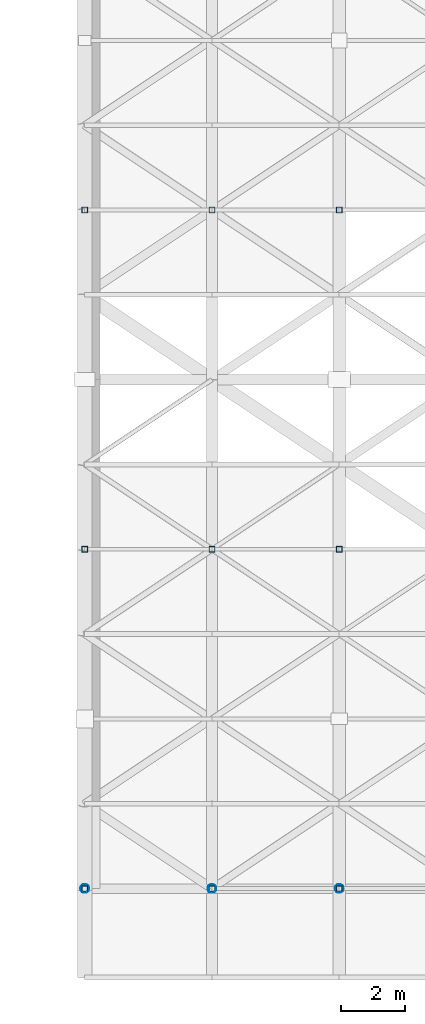
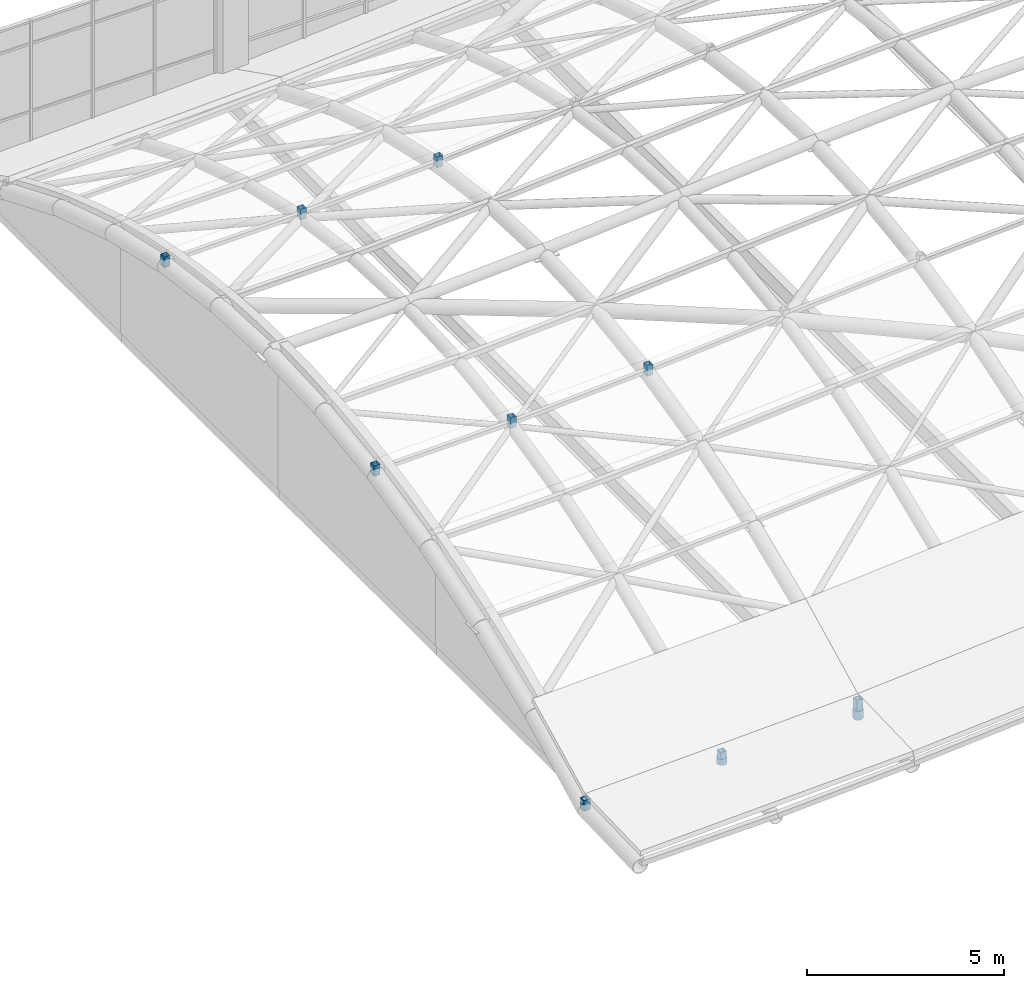
# One storey, part 39 of 72: 12 members.
"""IFC4 building model written with IfcOpenShell, lengths in metres."""

from ifc_helpers import new_model, si_unit, direction, frame, origin, origin_2d, place, context, subcontext, project, spatial, hollow_rectangle, hollow_circle, extrude, material, material_profile, profile_set, type_object, element, save


model = new_model("IFC4")

# Units and contexts
model_context = context("Model", 3, precision=1e-05, world=origin(), true_north=direction((0.0, 1.0)))
body_context = subcontext(model_context, "Body", "Model", "MODEL_VIEW")
ifc_project = project(units=[si_unit("LENGTHUNIT", "METRE"), si_unit("AREAUNIT", "SQUARE_METRE"), si_unit("VOLUMEUNIT", "CUBIC_METRE"), si_unit("PLANEANGLEUNIT", "RADIAN"), si_unit("MASSUNIT", "GRAM", prefix="KILO")], contexts=[model_context])

# Site, building, storey
site_placement = place(None, origin())
site = spatial("IfcSite", under=ifc_project, at=site_placement, CompositionType="ELEMENT")
building_placement = place(site_placement, origin())
building = spatial("IfcBuilding", under=site, at=building_placement, Name="Tenunan Teduh Sports Hall", CompositionType="ELEMENT")
storey_placement = place(building_placement, frame((0.0, 0.0, 15.0)))
storey = spatial("IfcBuildingStorey", under=building, at=storey_placement, Name="L03", CompositionType="ELEMENT", Elevation=15.0)

# Members
ifc_material_1 = material(Name="Steel S355", Category="steel")
ifc_material_profile_1 = material_profile(ifc_material_1, hollow_circle(Radius=0.136474609375, WallThickness=0.010009765625, at=origin_2d()), Name="CHS 273.0x10.0")
ifc_profile_set_1 = profile_set([ifc_material_profile_1], Name="Steel S355")
member_type_1 = type_object("IfcMemberType", Name="MEM-ST-CHS273", PredefinedType="STRUT", material=ifc_profile_set_1)
for number, where, z_axis, x_axis, name in (
    (1, (122.0, 14.0, -0.35009765625), (0.0, 0.0, 1.0), (1.0, 0.0, 0.0), "MEM-VS-04-L03-0001"),
    (2, (126.0, 14.0, -0.35009765625), (0.0, 0.0, 1.0), (1.0, 0.0, 0.0), "MEM-VS-04-L03-0008"),
):
    element("IfcMember", number, at=place(storey_placement, frame(where, z_axis=z_axis, x_axis=x_axis)), inside=storey, type_object=member_type_1, Name=name, PredefinedType="STRUT", context=body_context, shape_type="SweptSolid", body=[
        extrude(hollow_circle(Radius=0.136474609375, WallThickness=0.010009765625, at=origin_2d()), origin(), (0.0, 0.0, 1.0), 0.190185546875),
    ])
member_placement = place(storey_placement, frame((130.0, 14.0, -0.35009765625), z_axis=(0.0, 0.0, 1.0), x_axis=(1.0, 0.0, 0.0)))
element("IfcMember", 3, at=member_placement, inside=storey, type_object=member_type_1, Name="MEM-VS-04-L03-0015", PredefinedType="STRUT", context=body_context, shape_type="SweptSolid", body=[
    extrude(hollow_circle(Radius=0.136474609375, WallThickness=0.010009765625, at=origin_2d()), origin(), (0.0, 0.0, 1.0), 0.27099609375),
])
ifc_material_2 = material(Name="Steel S355", Category="steel")
ifc_material_profile_2 = material_profile(ifc_material_2, hollow_rectangle(XDim=0.179931640625, YDim=0.179931640625, WallThickness=0.010009765625, at=origin_2d()), Name="SHS 180x180x10.0")
ifc_profile_set_2 = profile_set([ifc_material_profile_2], Name="Steel S355")
member_type_2 = type_object("IfcMemberType", Name="MEM-ST-SHS180", PredefinedType="STRUT", material=ifc_profile_set_2)
for number, where, z_axis, x_axis, name in (
    (4, (122.0, 14.0, -0.3798828125), (0.0, 0.0, 1.0), (1.0, 0.0, 0.0), "MEM-VS-03-L03-0004"),
    (5, (122.0, 24.666748046875, 3.5302734375), (0.0, 0.0, 1.0), (1.0, 0.0, 0.0), "MEM-VS-03-L03-0005"),
    (6, (122.0, 35.333251953125, 3.5302734375), (0.0, 0.0, 1.0), (1.0, 0.0, 0.0), "MEM-VS-03-L03-0006"),
    (7, (126.0, 14.0, -0.2978515625), (0.0, 0.0, 1.0), (1.0, 0.0, 0.0), "MEM-VS-03-L03-0011"),
    (8, (126.0, 24.666748046875, 3.6123046875), (0.0, 0.0, 1.0), (1.0, 0.0, 0.0), "MEM-VS-03-L03-0012"),
    (9, (126.0, 35.333251953125, 3.6123046875), (0.0, 0.0, 1.0), (1.0, 0.0, 0.0), "MEM-VS-03-L03-0013"),
    (10, (130.0, 14.0, -0.0791015625), (0.0, 0.0, 1.0), (1.0, 0.0, 0.0), "MEM-VS-03-L03-0018"),
    (11, (130.0, 24.666748046875, 3.8310546875), (0.0, 0.0, 1.0), (1.0, 0.0, 0.0), "MEM-VS-03-L03-0019"),
    (12, (130.0, 35.333251953125, 3.8310546875), (0.0, 0.0, 1.0), (1.0, 0.0, 0.0), "MEM-VS-03-L03-0020"),
):
    element("IfcMember", number, at=place(storey_placement, frame(where, z_axis=z_axis, x_axis=x_axis)), inside=storey, type_object=member_type_2, Name=name, PredefinedType="STRUT", context=body_context, shape_type="SweptSolid", body=[
        extrude(hollow_rectangle(XDim=0.179931640625, YDim=0.179931640625, WallThickness=0.010009765625, at=origin_2d()), origin(), (0.0, 0.0, 1.0), 0.329833984375),
    ])

save(model, "model.ifc")
